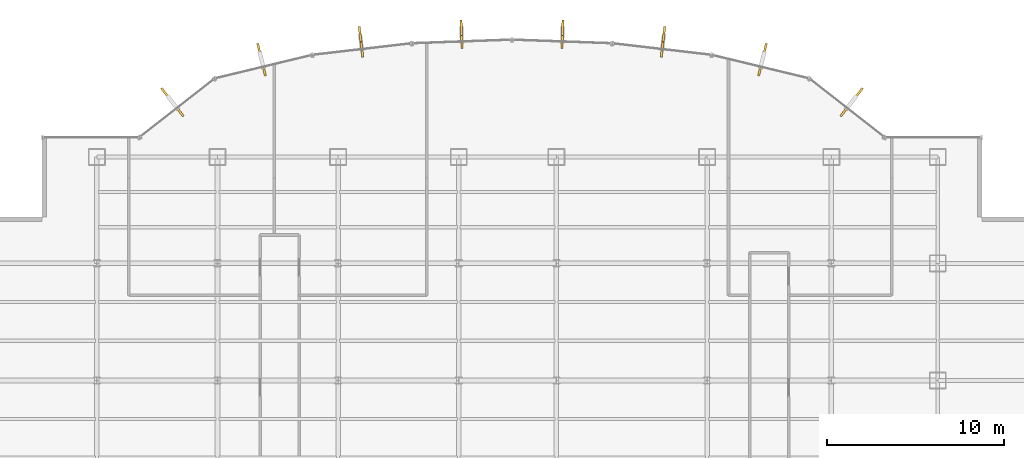
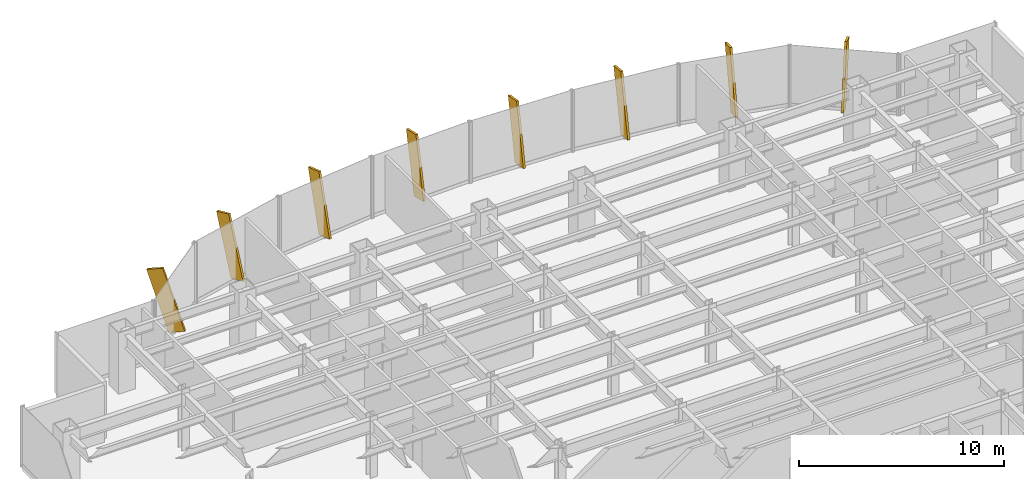
# One storey, part 21 of 22: 8 shading devices.
"""IFC4 building model written with IfcOpenShell, lengths in metres."""

from ifc_helpers import new_model, si_unit, derived_unit, direction, frame, origin, origin_2d, place, context, subcontext, project, spatial, rectangle, extrude, source, transform, mapped, material, type_object, element, save


model = new_model("IFC4")

# Units and contexts
model_context = context("Model", 3, precision=1e-05, world=origin(), true_north=direction((0.0, 1.0)))
body_context = subcontext(model_context, "Body", "Model", "MODEL_VIEW")
ifc_project = project(units=[si_unit("LENGTHUNIT", "METRE"), si_unit("AREAUNIT", "SQUARE_METRE"), si_unit("VOLUMEUNIT", "CUBIC_METRE"), si_unit("PLANEANGLEUNIT", "RADIAN"), si_unit("MASSUNIT", "GRAM", prefix="KILO"), derived_unit("THERMALTRANSMITTANCEUNIT", [(si_unit("POWERUNIT", "WATT"), 1), (si_unit("LENGTHUNIT", "METRE"), -2), (si_unit("THERMODYNAMICTEMPERATUREUNIT", "KELVIN"), -1)])], contexts=[model_context])

# Site, building, storey
site_placement = place(None, origin())
site = spatial("IfcSite", under=ifc_project, at=site_placement, CompositionType="ELEMENT")
building_placement = place(site_placement, origin())
building = spatial("IfcBuilding", under=site, at=building_placement, Name="Skarnbrae Concourse Arena and Tower", CompositionType="ELEMENT")
storey_placement = place(building_placement, frame((0.0, 0.0, 76.300048828125)))
storey = spatial("IfcBuildingStorey", under=building, at=storey_placement, Name="L18", CompositionType="ELEMENT", Elevation=76.300048828125)

# Shading devices
ifc_material = material(Name="Bronze anodised aluminium 6063-T6", Category="aluminium")
shading_device_type = type_object("IfcShadingDeviceType", Name="SHD-BRONZE-FIN-900", PredefinedType="USERDEFINED", material=ifc_material)
shared_shape = source(origin(), body_context, "Body", "SweptSolid", [
    extrude(rectangle(XDim=0.1201171875, YDim=0.89990234375, at=origin_2d()), origin(), (0.0, 0.0, 1.0), 3.64990234375),
])
for number, where, z_axis, x_axis, name in (
    (1, (49.784423828125, 43.030029296875, 0.0947265625), (0.19580213261, 0.250317994447, 0.94815738489), (0.787656027369, -0.616115234797, 0.0), "L18 Outward-leaning bronze shading fin 08"),
    (2, (44.99755859375, 45.385498046875, 0.07373046875), (0.066100416019, 0.273288980995, 0.959658203669), (0.971973311258, -0.235091221021, 0.0), "L18 Outward-leaning bronze shading fin 09"),
    (3, (39.46142578125, 46.452880859375, 0.052734375), (0.02772035435, 0.237258553337, 0.971050956862), (0.993243759876, -0.116046686587, 0.0), "L18 Outward-leaning bronze shading fin 10"),
    (4, (33.829345703125, 46.96142578125, 0.03515625), (0.007020947443, 0.195477788682, 0.98068299691), (0.999355613141, -0.035893710914, 0.0), "L18 Outward-leaning bronze shading fin 11"),
    (5, (28.170654296875, 46.96142578125, 0.03515625), (-0.007020947443, 0.195477788682, 0.98068299691), (0.999355613141, 0.035893710914, 0.0), "L18 Outward-leaning bronze shading fin 12"),
    (6, (22.53857421875, 46.452880859375, 0.052734375), (-0.02772035435, 0.237258553337, 0.971050956862), (0.993243759876, 0.116046686587, 0.0), "L18 Outward-leaning bronze shading fin 13"),
    (7, (17.00244140625, 45.385498046875, 0.07373046875), (-0.066100416019, 0.273288980995, 0.959658203669), (0.971973311258, 0.235091221021, 0.0), "L18 Outward-leaning bronze shading fin 14"),
    (8, (12.215576171875, 43.030029296875, 0.0947265625), (-0.19580213261, 0.250317994447, 0.94815738489), (0.787656027369, 0.616115234797, 0.0), "L18 Outward-leaning bronze shading fin 15"),
):
    element("IfcShadingDevice", number, at=place(storey_placement, frame(where, z_axis=z_axis, x_axis=x_axis)), inside=storey, type_object=shading_device_type, Name=name, ObjectType="FIN", PredefinedType="USERDEFINED", context=body_context, shape_type="MappedRepresentation", body=[
        mapped(shared_shape, transform((0.0, 0.0, 0.0))),
    ])

save(model, "model.ifc")
